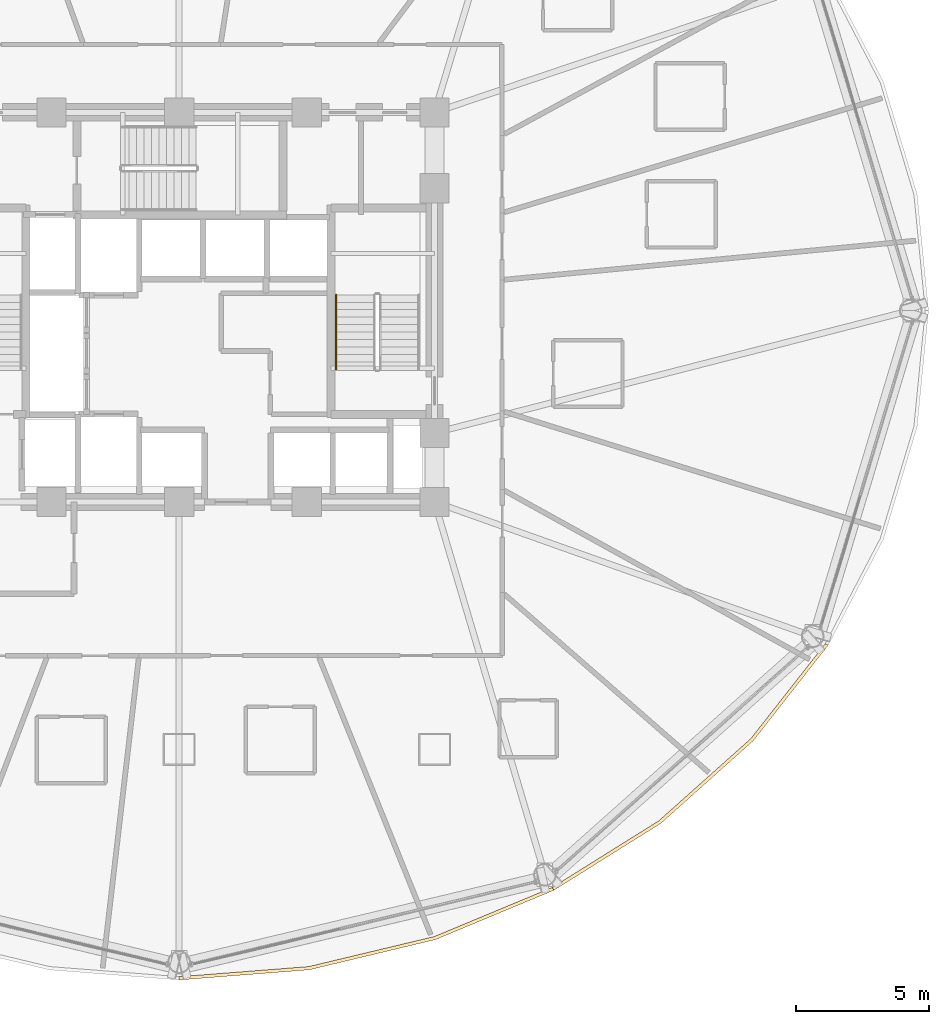
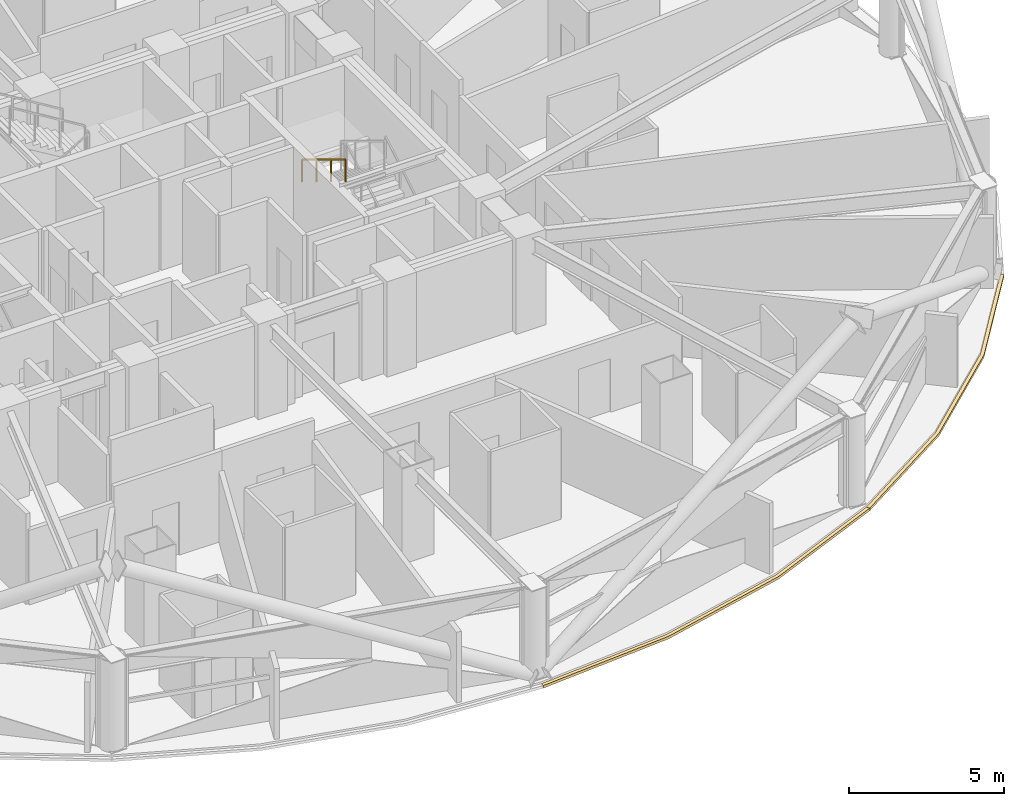
# One storey, part 28 of 30: 2 coverings, 1 railing.
"""IFC4 building model written with IfcOpenShell, lengths in metres."""

from ifc_helpers import new_model, si_unit, direction, frame, origin, origin_2d, place, context, subcontext, project, spatial, polyline, rectangle, outline, extrude, material, layer, layer_set, type_object, element, save


model = new_model("IFC4")

# Units and contexts
model_context = context("Model", 3, precision=1e-05, world=origin(), true_north=direction((0.0, 1.0)))
body_context = subcontext(model_context, "Body", "Model", "MODEL_VIEW")
ifc_project = project(units=[si_unit("LENGTHUNIT", "METRE"), si_unit("AREAUNIT", "SQUARE_METRE"), si_unit("VOLUMEUNIT", "CUBIC_METRE"), si_unit("PLANEANGLEUNIT", "RADIAN"), si_unit("MASSUNIT", "GRAM", prefix="KILO")], contexts=[model_context])

# Site, building, storey
site_placement = place(None, origin())
site = spatial("IfcSite", under=ifc_project, at=site_placement, CompositionType="ELEMENT")
building_placement = place(site_placement, origin())
building = spatial("IfcBuilding", under=site, at=building_placement, Name="Vantalir Tower", CompositionType="ELEMENT")
storey_placement = place(building_placement, frame((0.0, 0.0, 79.5)))
storey = spatial("IfcBuildingStorey", under=building, at=storey_placement, Name="L19", CompositionType="ELEMENT", Elevation=79.5)

# Coverings
ifc_material_1 = material(Name="Anodised champagne aluminium sill fascia", Category="aluminium")
ifc_layer = layer(ifc_material_1, 0.125)
ifc_layer_set = layer_set([ifc_layer], Name="Anodised champagne aluminium sill fascia")
covering_type = type_object("IfcCoveringType", Name="COV-SLAB-FASCIA-125", PredefinedType="CLADDING", material=ifc_layer_set)
covering_1_placement = place(storey_placement, frame((0.0, 0.0, -0.179931640625)))
element("IfcCovering", 1, at=covering_1_placement, inside=storey, type_object=covering_type, Name="L19 Perimeter Slab-Edge Sill Fascia 10", PredefinedType="CLADDING", context=body_context, shape_type="SweptSolid", body=[
    extrude(outline(polyline([(31.5, -0.169921875), (36.39306640625, 0.2119140625), (41.135986328125, 1.347900390625), (45.587890625, 3.201904296875), (45.52490234375, 3.31005859375), (41.093994140625, 1.465087890625), (36.37109375, 0.3349609375), (31.5, -0.044921875), (31.5, -0.169921875)])), origin(), (0.0, 0.0, 1.0), 0.10498046875),
])
covering_2_placement = place(storey_placement, frame((0.0, 0.0, -0.179931640625)))
element("IfcCovering", 2, at=covering_2_placement, inside=storey, type_object=covering_type, Name="L19 Perimeter Slab-Edge Sill Fascia 11", PredefinedType="CLADDING", context=body_context, shape_type="SweptSolid", body=[
    extrude(outline(polyline([(45.587890625, 3.201904296875), (49.611083984375, 5.718994140625), (53.0830078125, 8.821044921875), (55.89990234375, 12.4150390625), (55.7919921875, 12.47705078125), (52.988037109375, 8.90087890625), (49.530029296875, 5.81396484375), (45.52490234375, 3.31005859375), (45.587890625, 3.201904296875)])), origin(), (0.0, 0.0, 1.0), 0.10498046875),
])

# Railing
ifc_material_2 = material(Name="Brushed stainless steel tubular handrail", Category="steel")
railing_type = type_object("IfcRailingType", Name="RAL-HANDRAIL-900", PredefinedType="HANDRAIL", material=ifc_material_2)
railing_placement = place(storey_placement, frame((37.39990234375, 25.590087890625, 2.04541015625)))
element("IfcRailing", 3, at=railing_placement, inside=storey, type_object=railing_type, Name="L19 ST2 stair handrail 2", PredefinedType="HANDRAIL", context=body_context, shape_type="SweptSolid", body=[
    extrude(rectangle(XDim=0.048095703125, YDim=0.048095703125, at=origin_2d()), frame((0.0, 0.0, 0.8759765625), z_axis=(0.0, -0.854169791009, 0.51999420009), x_axis=(1.0, 0.0, 0.0)), (0.0, 0.0, 1.0), 3.278076171875),
    extrude(rectangle(XDim=0.0419921875, YDim=0.0419921875, at=origin_2d()), origin(), (0.0, 0.0, 1.0), 0.851806640625),
    extrude(rectangle(XDim=0.0419921875, YDim=0.0419921875, at=origin_2d()), frame((0.0, -0.933349609375, 0.568115234375)), (0.0, 0.0, 1.0), 0.851806640625),
    extrude(rectangle(XDim=0.0419921875, YDim=0.0419921875, at=origin_2d()), frame((0.0, -1.86669921875, 1.136474609375)), (0.0, 0.0, 1.0), 0.851806640625),
    extrude(rectangle(XDim=0.0419921875, YDim=0.0419921875, at=origin_2d()), frame((0.0, -2.800048828125, 1.70458984375)), (0.0, 0.0, 1.0), 0.851806640625),
])

save(model, "model.ifc")
